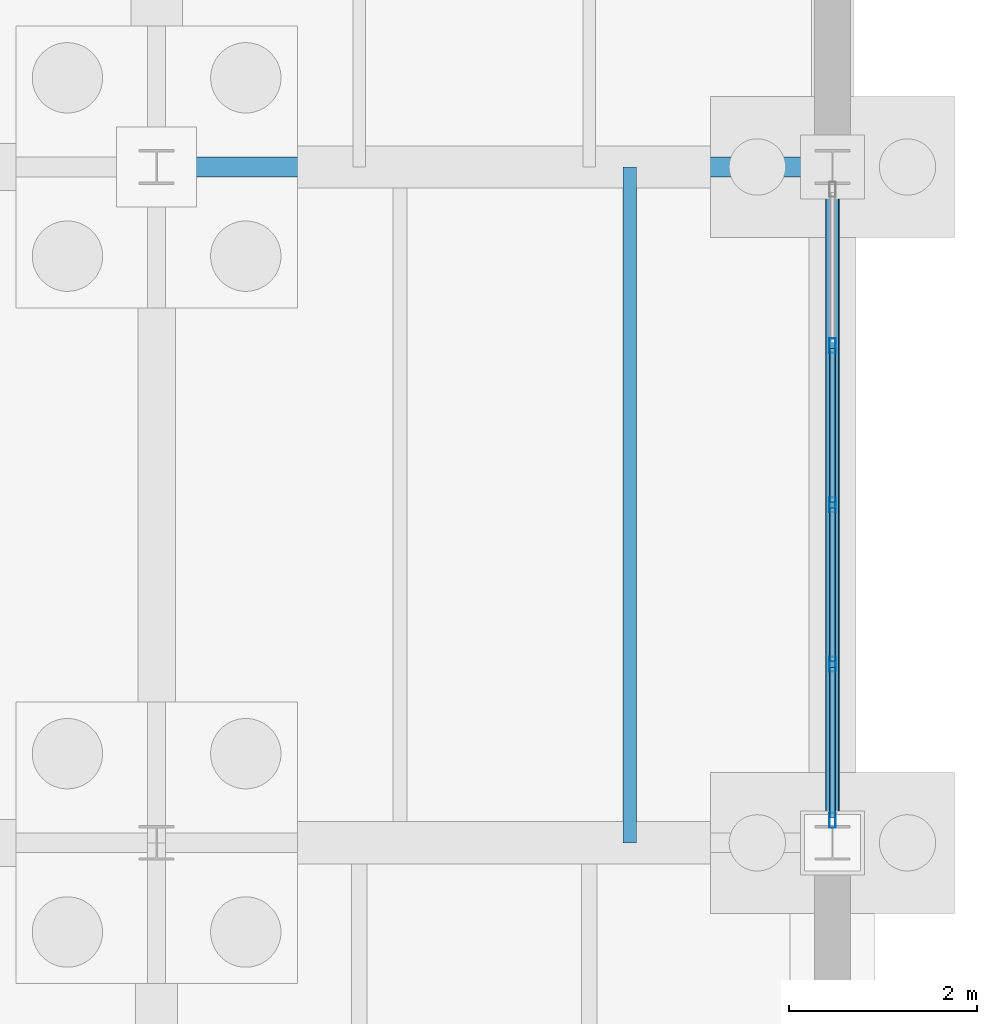
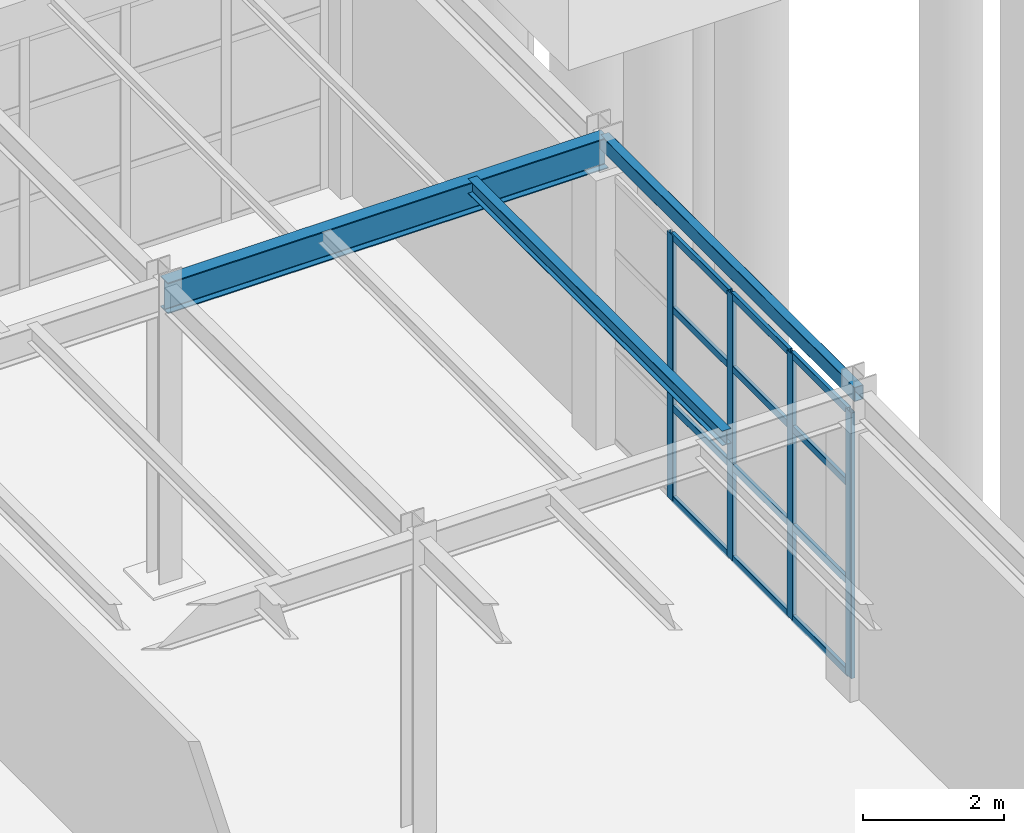
# One storey, part 101 of 293: 16 members, 3 beams, 1 element without a shape of its own.
"""IFC4 building model written with IfcOpenShell, lengths in metres."""

import ifcopenshell
import ifcopenshell.guid

model = None  # the IFC model being written
_history = None  # IfcOwnerHistory: only IFC2X3 demands one
_inside = {}  # id of a spatial element -> (the spatial element, [elements in it])
_under = {}  # id of a project, library or spatial element -> (it, [spatial elements below it])
_declared = {}  # id of a project -> (the project, [libraries it declares])
_typed = {}  # id of a type object -> (the type object, [elements of that type])
_made_of = {}  # id of a material, layer set ... -> (it, [elements and type objects made of it])


def new_model(schema):
    """Start an empty IFC model of exactly this schema.

    Asked for "IFC4X3", IfcOpenShell would pick the latest addendum, in which some entities
    have other attributes; the version numbers below select the first issue.
    IFC2X3 requires an IfcOwnerHistory on every rooted entity: one is made here for all.
    """
    global model, _history
    if schema == "IFC4X3":
        model = ifcopenshell.file(schema_version=(4, 3, 0, 0))
    else:
        model = ifcopenshell.file(schema=schema)
    _inside.clear()
    _under.clear()
    _declared.clear()
    _typed.clear()
    _made_of.clear()
    _history = None
    if model.schema == "IFC2X3":
        org = make("IfcOrganization", Name="unknown")
        user = make(
            "IfcPersonAndOrganization",
            ThePerson=make("IfcPerson", FamilyName="unknown"),
            TheOrganization=org,
        )
        app = make(
            "IfcApplication",
            ApplicationDeveloper=org,
            Version="unknown",
            ApplicationFullName="unknown",
            ApplicationIdentifier="unknown",
        )
        _history = make(
            "IfcOwnerHistory",
            OwningUser=user,
            OwningApplication=app,
            ChangeAction="ADDED",
            CreationDate=0,
        )
    return model


def make(cls, **values):
    """One entity of the class cls with the attributes given. An attribute that is None is left unset."""
    return model.create_entity(
        cls, **{name: value for name, value in values.items() if value is not None}
    )


def rooted(cls, **values):
    """An entity with a GlobalId (a new one), such as an element, a storey or a relation."""
    return make(cls, GlobalId=ifcopenshell.guid.new(), OwnerHistory=_history, **values)


def si_unit(unit_type, name, prefix=None):
    """IfcSIUnit, for example si_unit("LENGTHUNIT", "METRE", prefix="MILLI")."""
    return make("IfcSIUnit", UnitType=unit_type, Prefix=prefix, Name=name)


def assignment(units):
    """IfcUnitAssignment: the units of a project."""
    return None if units is None else make("IfcUnitAssignment", Units=units)


def point(xyz):
    """IfcCartesianPoint."""
    return None if xyz is None else make("IfcCartesianPoint", Coordinates=xyz)


def direction(xyz):
    """IfcDirection."""
    return None if xyz is None else make("IfcDirection", DirectionRatios=xyz)


def frame(location, z_axis=None, x_axis=None):
    """IfcAxis2Placement3D, a coordinate frame: its origin and axes. An axis left out is left unset."""
    return make(
        "IfcAxis2Placement3D",
        Location=point(location),
        Axis=direction(z_axis),
        RefDirection=direction(x_axis),
    )


def frame_2d(location, x_axis=None):
    """IfcAxis2Placement2D, a coordinate frame in the plane: its origin and x axis."""
    return make(
        "IfcAxis2Placement2D", Location=point(location), RefDirection=direction(x_axis)
    )


def origin():
    """The frame at (0, 0, 0) with its axes left unset."""
    return frame((0.0, 0.0, 0.0))


def origin_2d():
    """The frame at (0, 0) in the plane with its x axis left unset."""
    return frame_2d((0.0, 0.0))


def place(relative_to, where):
    """IfcLocalPlacement: puts the frame where relative to a parent placement (None: the world)."""
    return make(
        "IfcLocalPlacement", PlacementRelTo=relative_to, RelativePlacement=where
    )


def context(
    kind, dimensions, precision=None, world=None, true_north=None, identifier=None
):
    """IfcGeometricRepresentationContext, for example the 3D "Model" context."""
    return make(
        "IfcGeometricRepresentationContext",
        ContextIdentifier=identifier,
        ContextType=kind,
        CoordinateSpaceDimension=dimensions,
        Precision=precision,
        WorldCoordinateSystem=world,
        TrueNorth=true_north,
    )


def subcontext(parent, identifier, kind, view, scale=None):
    """IfcGeometricRepresentationSubContext, for example "Body" below "Model"."""
    return make(
        "IfcGeometricRepresentationSubContext",
        ContextIdentifier=identifier,
        ContextType=kind,
        ParentContext=parent,
        TargetScale=scale,
        TargetView=view,
    )


def project(units=None, contexts=None):
    """IfcProject with its units and contexts."""
    return rooted(
        "IfcProject",
        Name="project",
        RepresentationContexts=contexts,
        UnitsInContext=assignment(units),
    )


def spatial(cls, under=None, at=None, **own):
    """A site, building, storey or space (cls), placed at a placement, below another one or the project."""
    s = rooted(cls, ObjectPlacement=at, **own)
    if under is not None:
        _under.setdefault(under.id(), (under, []))[1].append(s)
    return s


def profile(cls, at=None, kind="AREA", **sizes):
    """A parametric profile (cls). Its sizes go by their IFC names, for example OverallWidth=200.0."""
    return make(cls, ProfileType=kind, Position=at, **sizes)


def hollow_rectangle(**sizes):
    """IfcRectangleHollowProfileDef."""
    return profile("IfcRectangleHollowProfileDef", **sizes)


def i_section(**sizes):
    """IfcIShapeProfileDef."""
    return profile("IfcIShapeProfileDef", **sizes)


def extrude(swept, where, along, depth):
    """IfcExtrudedAreaSolid: the profile swept, set in the frame where, extruded along a direction by depth."""
    return make(
        "IfcExtrudedAreaSolid",
        SweptArea=swept,
        Position=where,
        ExtrudedDirection=direction(along),
        Depth=depth,
    )


def shape(context_of_items, identifier, shape_type, items):
    """IfcShapeRepresentation: the items that make up one representation, for example the "Body"."""
    return make(
        "IfcShapeRepresentation",
        ContextOfItems=context_of_items,
        RepresentationIdentifier=identifier,
        RepresentationType=shape_type,
        Items=items,
    )


def material(Name=None, Category=None):
    """IfcMaterial."""
    return make("IfcMaterial", Name=Name, Category=Category)


def layer(
    of_material, thickness, ventilated=None, Name=None, Category=None, Priority=None
):
    """IfcMaterialLayer: one layer of a wall or slab, of a material (None: an air gap)."""
    return make(
        "IfcMaterialLayer",
        Material=of_material,
        LayerThickness=thickness,
        IsVentilated=ventilated,
        Name=Name,
        Category=Category,
        Priority=Priority,
    )


def layer_set(layers, Name=None):
    """IfcMaterialLayerSet."""
    return make("IfcMaterialLayerSet", MaterialLayers=layers, LayerSetName=Name)


def material_profile(
    of_material, cross_section, Name=None, Category=None, Priority=None
):
    """IfcMaterialProfile: a cross section and its material."""
    return make(
        "IfcMaterialProfile",
        Name=Name,
        Material=of_material,
        Profile=cross_section,
        Priority=Priority,
        Category=Category,
    )


def profile_set(profiles, Name=None, composite=None):
    """IfcMaterialProfileSet."""
    return make(
        "IfcMaterialProfileSet",
        Name=Name,
        MaterialProfiles=profiles,
        CompositeProfile=composite,
    )


def made_of(thing, what):
    """Note that an element or type object is made of a material, layer set ...; save() writes the relation."""
    if what is not None:
        _made_of.setdefault(what.id(), (what, []))[1].append(thing)
    return thing


def type_object(cls, material=None, **own):
    """A type object (cls), such as IfcWallType, which elements share."""
    return made_of(rooted(cls, **own), material)


def element(
    cls,
    number,
    at=None,
    inside=None,
    cuts=None,
    type_object=None,
    material=None,
    context=None,
    identifier="Body",
    shape_type=None,
    held_by="IfcProductDefinitionShape",
    body=None,
    shapes=None,
    **own,
):
    """One element of the class cls, such as IfcWall. Its Tag is "e" and its number.

    at: its placement. inside: the storey or other place that contains it. cuts: it is an
    opening in that element (IfcRelVoidsElement). A single representation is given by context,
    identifier, shape_type and body (its items); several are given by shapes. held_by: the class
    of the entity that holds the representations. save() writes the other relations.
    """
    e = rooted(cls, Tag="e%d" % number, ObjectPlacement=at, **own)
    if body is not None:
        shapes = [shape(context, identifier, shape_type, body)]
    if shapes is not None:
        e.Representation = make(held_by, Representations=shapes)
    if inside is not None:
        _inside.setdefault(inside.id(), (inside, []))[1].append(e)
    if cuts is not None:
        rooted(
            "IfcRelVoidsElement", RelatingBuildingElement=cuts, RelatedOpeningElement=e
        )
    if type_object is not None:
        _typed.setdefault(type_object.id(), (type_object, []))[1].append(e)
    return made_of(e, material)


def aggregate(whole, parts):
    """IfcRelAggregates: a whole, such as a stair, and the parts it consists of."""
    return rooted("IfcRelAggregates", RelatingObject=whole, RelatedObjects=parts)


def save(model, path):
    """Write the relations noted so far, then the file.

    IfcRelAggregates (storeys below a building ...), IfcRelContainedInSpatialStructure (elements
    in a storey), IfcRelDefinesByType, IfcRelAssociatesMaterial and IfcRelDeclares: one each for
    every whole, place, type object, material and project.
    """
    for whole, parts in _under.values():
        aggregate(whole, parts)
    for where, things in _inside.values():
        rooted(
            "IfcRelContainedInSpatialStructure",
            RelatedElements=things,
            RelatingStructure=where,
        )
    for kind, things in _typed.values():
        rooted("IfcRelDefinesByType", RelatedObjects=things, RelatingType=kind)
    for what, things in _made_of.values():
        rooted("IfcRelAssociatesMaterial", RelatedObjects=things, RelatingMaterial=what)
    for by, libraries in _declared.values():
        rooted("IfcRelDeclares", RelatingContext=by, RelatedDefinitions=libraries)
    model.write(path)


model = new_model("IFC4")

# Units and contexts
model_context = context("Model", 3, precision=1e-05, world=origin(), true_north=direction((0.0, 1.0)))
body_context = subcontext(model_context, "Body", "Model", "MODEL_VIEW")
ifc_project = project(units=[si_unit("LENGTHUNIT", "METRE"), si_unit("AREAUNIT", "SQUARE_METRE"), si_unit("VOLUMEUNIT", "CUBIC_METRE"), si_unit("PLANEANGLEUNIT", "RADIAN"), si_unit("MASSUNIT", "GRAM", prefix="KILO")], contexts=[model_context])

# Site, building, storey
site_placement = place(None, origin())
site = spatial("IfcSite", under=ifc_project, at=site_placement, CompositionType="ELEMENT")
building_placement = place(site_placement, origin())
building = spatial("IfcBuilding", under=site, at=building_placement, Name="Kemerveld Promenade Tramway Depot", CompositionType="ELEMENT")
storey_placement = place(building_placement, origin())
storey = spatial("IfcBuildingStorey", under=building, at=storey_placement, Name="L00", CompositionType="ELEMENT", Elevation=0.0)

# Beams
ifc_material_1 = material(Name="Steel S355", Category="steel")
ifc_material_profile_1 = material_profile(ifc_material_1, i_section(OverallWidth=0.2099609375, OverallDepth=0.53662109375, WebThickness=0.0107421875, FlangeThickness=0.017333984375, FilletRadius=0.0126953125, at=origin_2d()), Name="533x210x101 UB")
ifc_profile_set_1 = profile_set([ifc_material_profile_1], Name="Steel S355")
beam_type_1 = type_object("IfcBeamType", Name="BM-G05", PredefinedType="BEAM", material=ifc_profile_set_1)
beam_1_placement = place(storey_placement, frame((50.39990234375, 72.0, 4.881591796875), z_axis=(1.0, 0.0, 0.0), x_axis=(0.0, 1.0, 0.0)))
element("IfcBeam", 1, at=beam_1_placement, inside=storey, type_object=beam_type_1, Name="BMX-L00-08-09-L", PredefinedType="BEAM", context=body_context, shape_type="SweptSolid", body=[
    extrude(i_section(OverallWidth=0.2099609375, OverallDepth=0.53662109375, WebThickness=0.0107421875, FlangeThickness=0.017333984375, FilletRadius=0.0126953125, at=origin_2d()), origin(), (0.0, 0.0, 1.0), 7.2001953125),
])
ifc_material_profile_2 = material_profile(ifc_material_1, i_section(OverallWidth=0.146484375, OverallDepth=0.256103515625, WebThickness=0.00634765625, FlangeThickness=0.010986328125, FilletRadius=0.007568359375, at=origin_2d()), Name="254x146x37 UB")
ifc_profile_set_2 = profile_set([ifc_material_profile_2], Name="Steel S355")
beam_type_2 = type_object("IfcBeamType", Name="BM-J02", PredefinedType="JOIST", material=ifc_profile_set_2)
beam_2_placement = place(storey_placement, frame((55.43994140625, 64.800048828125, 5.02197265625), z_axis=(0.0, 1.0, 0.0), x_axis=(-1.0, 0.0, 0.0)))
element("IfcBeam", 2, at=beam_2_placement, inside=storey, type_object=beam_type_2, Name="JST-L00-08-K-2", PredefinedType="JOIST", context=body_context, shape_type="SweptSolid", body=[
    extrude(i_section(OverallWidth=0.146484375, OverallDepth=0.256103515625, WebThickness=0.00634765625, FlangeThickness=0.010986328125, FilletRadius=0.007568359375, at=origin_2d()), origin(), (0.0, 0.0, 1.0), 7.199951171875),
])
ifc_material_profile_3 = material_profile(ifc_material_1, hollow_rectangle(XDim=0.14990234375, YDim=0.25, WallThickness=0.010009765625, InnerFilletRadius=0.0048828125, OuterFilletRadius=0.014892578125, at=origin_2d()), Name="250x150x10.0 RHS")
ifc_profile_set_3 = profile_set([ifc_material_profile_3], Name="Steel S355")
beam_type_3 = type_object("IfcBeamType", Name="BM-SP2", PredefinedType="SPANDREL", material=ifc_profile_set_3)
beam_3_placement = place(storey_placement, frame((57.60009765625, 64.800048828125, 5.02490234375), z_axis=(0.0, 1.0, 0.0), x_axis=(-1.0, 0.0, 0.0)))
element("IfcBeam", 3, at=beam_3_placement, inside=storey, type_object=beam_type_3, Name="BMY-L00-09-K-L", PredefinedType="SPANDREL", context=body_context, shape_type="SweptSolid", body=[
    extrude(hollow_rectangle(XDim=0.14990234375, YDim=0.25, WallThickness=0.010009765625, InnerFilletRadius=0.0048828125, OuterFilletRadius=0.014892578125, at=origin_2d()), origin(), (0.0, 0.0, 1.0), 7.199951171875),
])

# Curtain wall, members
ifc_material_2 = material(Name="Bronze anodised aluminium and solar glass", Category="aluminium")
ifc_layer = layer(ifc_material_2, 0.159912109375)
ifc_layer_set = layer_set([ifc_layer], Name="CW-SYS-05")
curtain_wall_type = type_object("IfcCurtainWallType", Name="CW-SYS-05", PredefinedType="USERDEFINED", material=ifc_layer_set)
curtain_wall_placement = place(storey_placement, origin())
curtain_wall = element("IfcCurtainWall", 4, at=curtain_wall_placement, inside=storey, type_object=curtain_wall_type, Name="CW-L00-V5E-02", ObjectType="GLAZED_CURTAIN_WALL", PredefinedType="USERDEFINED")
ifc_material_3 = material(Name="Bronze anodised aluminium", Category="aluminium")
ifc_material_profile_4 = material_profile(ifc_material_3, hollow_rectangle(XDim=0.06494140625, YDim=0.159912109375, WallThickness=0.00390625, InnerFilletRadius=0.001953125, OuterFilletRadius=0.00390625, at=origin_2d()), Name="CW-MUL-160x65")
ifc_profile_set_4 = profile_set([ifc_material_profile_4], Name="Bronze anodised aluminium")
member_type_1 = type_object("IfcMemberType", Name="CW-MUL-A", PredefinedType="MULLION", material=ifc_profile_set_4)
member_1_placement = place(storey_placement, frame((57.60009765625, 70.096923828125, 0.0), z_axis=(0.0, 0.0, 1.0), x_axis=(1.0, 0.0, 0.0)))
member_1 = element("IfcMember", 5, at=member_1_placement, type_object=member_type_1, Name="CW05 mullion 2", PredefinedType="MULLION", context=body_context, shape_type="SweptSolid", body=[
    extrude(hollow_rectangle(XDim=0.06494140625, YDim=0.159912109375, WallThickness=0.00390625, InnerFilletRadius=0.001953125, OuterFilletRadius=0.00390625, at=origin_2d()), origin(), (0.0, 0.0, 1.0), 4.593505859375),
])
member_2_placement = place(storey_placement, frame((57.60009765625, 68.39990234375, 0.0), z_axis=(0.0, 0.0, 1.0), x_axis=(1.0, 0.0, 0.0)))
member_2 = element("IfcMember", 6, at=member_2_placement, type_object=member_type_1, Name="CW05 mullion 3", PredefinedType="MULLION", context=body_context, shape_type="SweptSolid", body=[
    extrude(hollow_rectangle(XDim=0.06494140625, YDim=0.159912109375, WallThickness=0.00390625, InnerFilletRadius=0.001953125, OuterFilletRadius=0.00390625, at=origin_2d()), origin(), (0.0, 0.0, 1.0), 4.593505859375),
])
member_3_placement = place(storey_placement, frame((57.60009765625, 66.703125, 0.0), z_axis=(0.0, 0.0, 1.0), x_axis=(1.0, 0.0, 0.0)))
member_3 = element("IfcMember", 7, at=member_3_placement, type_object=member_type_1, Name="CW05 mullion 4", PredefinedType="MULLION", context=body_context, shape_type="SweptSolid", body=[
    extrude(hollow_rectangle(XDim=0.06494140625, YDim=0.159912109375, WallThickness=0.00390625, InnerFilletRadius=0.001953125, OuterFilletRadius=0.00390625, at=origin_2d()), origin(), (0.0, 0.0, 1.0), 4.593505859375),
])
member_4_placement = place(storey_placement, frame((57.60009765625, 65.038818359375, 0.0), z_axis=(0.0, 0.0, 1.0), x_axis=(1.0, 0.0, 0.0)))
member_4 = element("IfcMember", 8, at=member_4_placement, type_object=member_type_1, Name="CW05 mullion 5", PredefinedType="MULLION", context=body_context, shape_type="SweptSolid", body=[
    extrude(hollow_rectangle(XDim=0.06494140625, YDim=0.159912109375, WallThickness=0.00390625, InnerFilletRadius=0.001953125, OuterFilletRadius=0.00390625, at=origin_2d()), origin(), (0.0, 0.0, 1.0), 4.593505859375),
])
ifc_material_profile_5 = material_profile(ifc_material_3, hollow_rectangle(XDim=0.06005859375, YDim=0.1201171875, WallThickness=0.00390625, InnerFilletRadius=0.001953125, OuterFilletRadius=0.00390625, at=origin_2d()), Name="CW-TRN-120x60")
ifc_profile_set_5 = profile_set([ifc_material_profile_5], Name="Bronze anodised aluminium")
member_type_2 = type_object("IfcMemberType", Name="CW-TRN-A", PredefinedType="USERDEFINED", material=ifc_profile_set_5)
member_5_placement = place(storey_placement, frame((57.60009765625, 70.064453125, 0.030029296875), z_axis=(0.0, -1.0, 0.0), x_axis=(1.0, 0.0, 0.0)))
member_5 = element("IfcMember", 9, at=member_5_placement, type_object=member_type_2, Name="CW05 transom 2.1", ObjectType="TRANSOM", PredefinedType="USERDEFINED", context=body_context, shape_type="SweptSolid", body=[
    extrude(hollow_rectangle(XDim=0.06005859375, YDim=0.1201171875, WallThickness=0.00390625, InnerFilletRadius=0.001953125, OuterFilletRadius=0.00390625, at=origin_2d()), origin(), (0.0, 0.0, 1.0), 1.6318359375),
])
member_6_placement = place(storey_placement, frame((57.60009765625, 70.064453125, 1.60791015625), z_axis=(0.0, -1.0, 0.0), x_axis=(1.0, 0.0, 0.0)))
member_6 = element("IfcMember", 10, at=member_6_placement, type_object=member_type_2, Name="CW05 transom 2.2", ObjectType="TRANSOM", PredefinedType="USERDEFINED", context=body_context, shape_type="SweptSolid", body=[
    extrude(hollow_rectangle(XDim=0.06005859375, YDim=0.1201171875, WallThickness=0.00390625, InnerFilletRadius=0.001953125, OuterFilletRadius=0.00390625, at=origin_2d()), origin(), (0.0, 0.0, 1.0), 1.6318359375),
])
member_7_placement = place(storey_placement, frame((57.60009765625, 70.064453125, 3.306884765625), z_axis=(0.0, -1.0, 0.0), x_axis=(1.0, 0.0, 0.0)))
member_7 = element("IfcMember", 11, at=member_7_placement, type_object=member_type_2, Name="CW05 transom 2.3", ObjectType="TRANSOM", PredefinedType="USERDEFINED", context=body_context, shape_type="SweptSolid", body=[
    extrude(hollow_rectangle(XDim=0.06005859375, YDim=0.1201171875, WallThickness=0.00390625, InnerFilletRadius=0.001953125, OuterFilletRadius=0.00390625, at=origin_2d()), origin(), (0.0, 0.0, 1.0), 1.6318359375),
])
member_8_placement = place(storey_placement, frame((57.60009765625, 70.064453125, 4.5634765625), z_axis=(0.0, -1.0, 0.0), x_axis=(1.0, 0.0, 0.0)))
member_8 = element("IfcMember", 12, at=member_8_placement, type_object=member_type_2, Name="CW05 transom 2.4", ObjectType="TRANSOM", PredefinedType="USERDEFINED", context=body_context, shape_type="SweptSolid", body=[
    extrude(hollow_rectangle(XDim=0.06005859375, YDim=0.1201171875, WallThickness=0.00390625, InnerFilletRadius=0.001953125, OuterFilletRadius=0.00390625, at=origin_2d()), origin(), (0.0, 0.0, 1.0), 1.6318359375),
])
member_9_placement = place(storey_placement, frame((57.60009765625, 68.367431640625, 0.030029296875), z_axis=(0.0, -1.0, 0.0), x_axis=(1.0, 0.0, 0.0)))
member_9 = element("IfcMember", 13, at=member_9_placement, type_object=member_type_2, Name="CW05 transom 3.1", ObjectType="TRANSOM", PredefinedType="USERDEFINED", context=body_context, shape_type="SweptSolid", body=[
    extrude(hollow_rectangle(XDim=0.06005859375, YDim=0.1201171875, WallThickness=0.00390625, InnerFilletRadius=0.001953125, OuterFilletRadius=0.00390625, at=origin_2d()), origin(), (0.0, 0.0, 1.0), 1.6318359375),
])
member_10_placement = place(storey_placement, frame((57.60009765625, 68.367431640625, 1.60791015625), z_axis=(0.0, -1.0, 0.0), x_axis=(1.0, 0.0, 0.0)))
member_10 = element("IfcMember", 14, at=member_10_placement, type_object=member_type_2, Name="CW05 transom 3.2", ObjectType="TRANSOM", PredefinedType="USERDEFINED", context=body_context, shape_type="SweptSolid", body=[
    extrude(hollow_rectangle(XDim=0.06005859375, YDim=0.1201171875, WallThickness=0.00390625, InnerFilletRadius=0.001953125, OuterFilletRadius=0.00390625, at=origin_2d()), origin(), (0.0, 0.0, 1.0), 1.6318359375),
])
member_11_placement = place(storey_placement, frame((57.60009765625, 68.367431640625, 3.306884765625), z_axis=(0.0, -1.0, 0.0), x_axis=(1.0, 0.0, 0.0)))
member_11 = element("IfcMember", 15, at=member_11_placement, type_object=member_type_2, Name="CW05 transom 3.3", ObjectType="TRANSOM", PredefinedType="USERDEFINED", context=body_context, shape_type="SweptSolid", body=[
    extrude(hollow_rectangle(XDim=0.06005859375, YDim=0.1201171875, WallThickness=0.00390625, InnerFilletRadius=0.001953125, OuterFilletRadius=0.00390625, at=origin_2d()), origin(), (0.0, 0.0, 1.0), 1.6318359375),
])
member_12_placement = place(storey_placement, frame((57.60009765625, 68.367431640625, 4.5634765625), z_axis=(0.0, -1.0, 0.0), x_axis=(1.0, 0.0, 0.0)))
member_12 = element("IfcMember", 16, at=member_12_placement, type_object=member_type_2, Name="CW05 transom 3.4", ObjectType="TRANSOM", PredefinedType="USERDEFINED", context=body_context, shape_type="SweptSolid", body=[
    extrude(hollow_rectangle(XDim=0.06005859375, YDim=0.1201171875, WallThickness=0.00390625, InnerFilletRadius=0.001953125, OuterFilletRadius=0.00390625, at=origin_2d()), origin(), (0.0, 0.0, 1.0), 1.6318359375),
])
member_13_placement = place(storey_placement, frame((57.60009765625, 66.670654296875, 0.030029296875), z_axis=(0.0, -1.0, 0.0), x_axis=(1.0, 0.0, 0.0)))
member_13 = element("IfcMember", 17, at=member_13_placement, type_object=member_type_2, Name="CW05 transom 4.1", ObjectType="TRANSOM", PredefinedType="USERDEFINED", context=body_context, shape_type="SweptSolid", body=[
    extrude(hollow_rectangle(XDim=0.06005859375, YDim=0.1201171875, WallThickness=0.00390625, InnerFilletRadius=0.001953125, OuterFilletRadius=0.00390625, at=origin_2d()), origin(), (0.0, 0.0, 1.0), 1.599365234375),
])
member_14_placement = place(storey_placement, frame((57.60009765625, 66.670654296875, 1.60791015625), z_axis=(0.0, -1.0, 0.0), x_axis=(1.0, 0.0, 0.0)))
member_14 = element("IfcMember", 18, at=member_14_placement, type_object=member_type_2, Name="CW05 transom 4.2", ObjectType="TRANSOM", PredefinedType="USERDEFINED", context=body_context, shape_type="SweptSolid", body=[
    extrude(hollow_rectangle(XDim=0.06005859375, YDim=0.1201171875, WallThickness=0.00390625, InnerFilletRadius=0.001953125, OuterFilletRadius=0.00390625, at=origin_2d()), origin(), (0.0, 0.0, 1.0), 1.599365234375),
])
member_15_placement = place(storey_placement, frame((57.60009765625, 66.670654296875, 3.306884765625), z_axis=(0.0, -1.0, 0.0), x_axis=(1.0, 0.0, 0.0)))
member_15 = element("IfcMember", 19, at=member_15_placement, type_object=member_type_2, Name="CW05 transom 4.3", ObjectType="TRANSOM", PredefinedType="USERDEFINED", context=body_context, shape_type="SweptSolid", body=[
    extrude(hollow_rectangle(XDim=0.06005859375, YDim=0.1201171875, WallThickness=0.00390625, InnerFilletRadius=0.001953125, OuterFilletRadius=0.00390625, at=origin_2d()), origin(), (0.0, 0.0, 1.0), 1.599365234375),
])
member_16_placement = place(storey_placement, frame((57.60009765625, 66.670654296875, 4.5634765625), z_axis=(0.0, -1.0, 0.0), x_axis=(1.0, 0.0, 0.0)))
member_16 = element("IfcMember", 20, at=member_16_placement, type_object=member_type_2, Name="CW05 transom 4.4", ObjectType="TRANSOM", PredefinedType="USERDEFINED", context=body_context, shape_type="SweptSolid", body=[
    extrude(hollow_rectangle(XDim=0.06005859375, YDim=0.1201171875, WallThickness=0.00390625, InnerFilletRadius=0.001953125, OuterFilletRadius=0.00390625, at=origin_2d()), origin(), (0.0, 0.0, 1.0), 1.599365234375),
])
aggregate(curtain_wall, [member_1, member_2, member_3, member_4, member_5, member_6, member_7, member_8, member_9, member_10, member_11, member_12, member_13, member_14, member_15, member_16])

save(model, "model.ifc")
